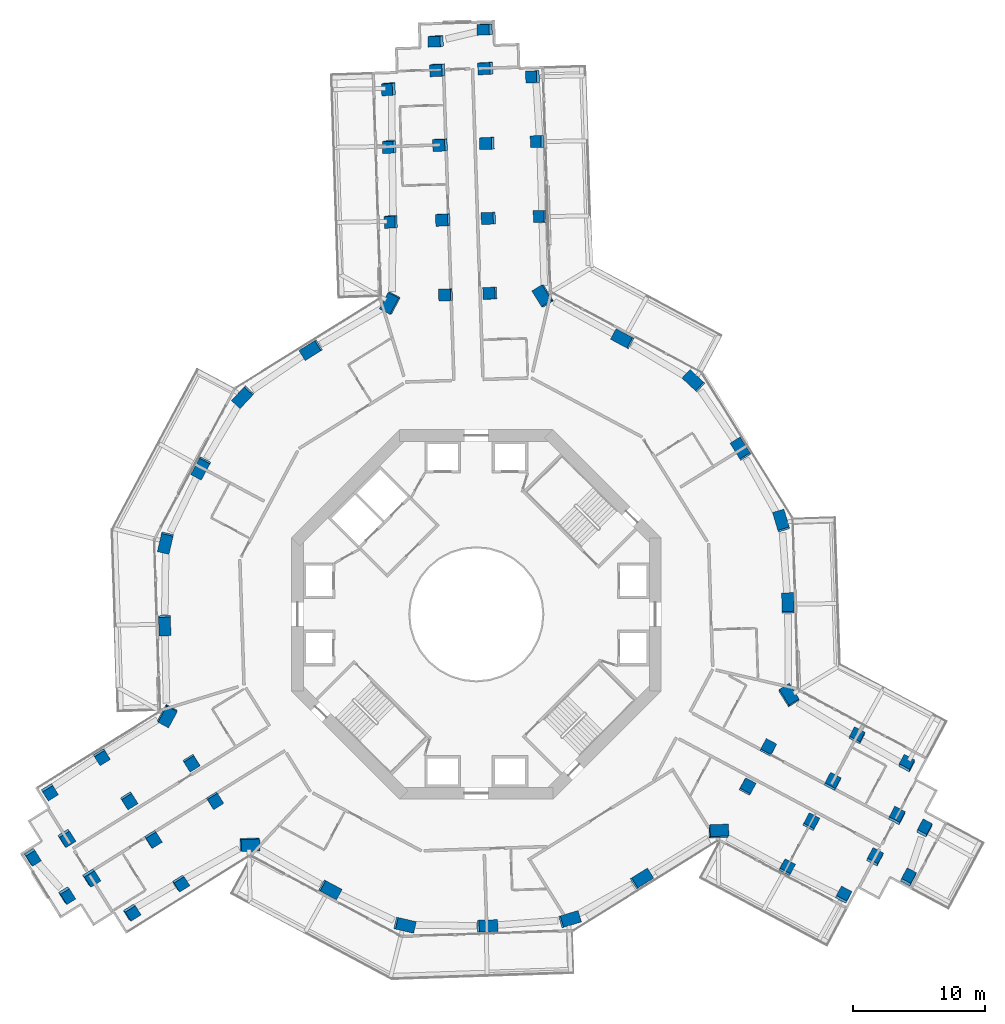
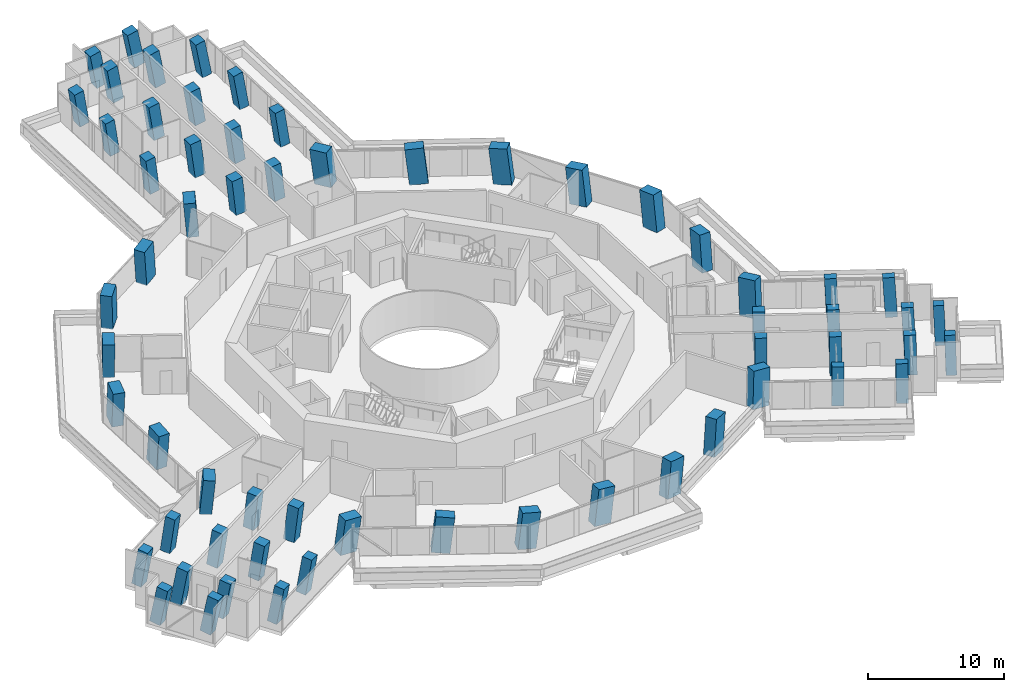
# One storey, part 1 of 27: 61 columns.
"""IFC4 building model written with IfcOpenShell, lengths in metres."""

import ifcopenshell
import ifcopenshell.guid

model = None  # the IFC model being written
_history = None  # IfcOwnerHistory: only IFC2X3 demands one
_inside = {}  # id of a spatial element -> (the spatial element, [elements in it])
_under = {}  # id of a project, library or spatial element -> (it, [spatial elements below it])
_declared = {}  # id of a project -> (the project, [libraries it declares])
_typed = {}  # id of a type object -> (the type object, [elements of that type])
_made_of = {}  # id of a material, layer set ... -> (it, [elements and type objects made of it])


def new_model(schema):
    """Start an empty IFC model of exactly this schema.

    Asked for "IFC4X3", IfcOpenShell would pick the latest addendum, in which some entities
    have other attributes; the version numbers below select the first issue.
    IFC2X3 requires an IfcOwnerHistory on every rooted entity: one is made here for all.
    """
    global model, _history
    if schema == "IFC4X3":
        model = ifcopenshell.file(schema_version=(4, 3, 0, 0))
    else:
        model = ifcopenshell.file(schema=schema)
    _inside.clear()
    _under.clear()
    _declared.clear()
    _typed.clear()
    _made_of.clear()
    _history = None
    if model.schema == "IFC2X3":
        org = make("IfcOrganization", Name="unknown")
        user = make(
            "IfcPersonAndOrganization",
            ThePerson=make("IfcPerson", FamilyName="unknown"),
            TheOrganization=org,
        )
        app = make(
            "IfcApplication",
            ApplicationDeveloper=org,
            Version="unknown",
            ApplicationFullName="unknown",
            ApplicationIdentifier="unknown",
        )
        _history = make(
            "IfcOwnerHistory",
            OwningUser=user,
            OwningApplication=app,
            ChangeAction="ADDED",
            CreationDate=0,
        )
    return model


def make(cls, **values):
    """One entity of the class cls with the attributes given. An attribute that is None is left unset."""
    return model.create_entity(
        cls, **{name: value for name, value in values.items() if value is not None}
    )


def rooted(cls, **values):
    """An entity with a GlobalId (a new one), such as an element, a storey or a relation."""
    return make(cls, GlobalId=ifcopenshell.guid.new(), OwnerHistory=_history, **values)


def si_unit(unit_type, name, prefix=None):
    """IfcSIUnit, for example si_unit("LENGTHUNIT", "METRE", prefix="MILLI")."""
    return make("IfcSIUnit", UnitType=unit_type, Prefix=prefix, Name=name)


def assignment(units):
    """IfcUnitAssignment: the units of a project."""
    return None if units is None else make("IfcUnitAssignment", Units=units)


def point(xyz):
    """IfcCartesianPoint."""
    return None if xyz is None else make("IfcCartesianPoint", Coordinates=xyz)


def direction(xyz):
    """IfcDirection."""
    return None if xyz is None else make("IfcDirection", DirectionRatios=xyz)


def frame(location, z_axis=None, x_axis=None):
    """IfcAxis2Placement3D, a coordinate frame: its origin and axes. An axis left out is left unset."""
    return make(
        "IfcAxis2Placement3D",
        Location=point(location),
        Axis=direction(z_axis),
        RefDirection=direction(x_axis),
    )


def frame_2d(location, x_axis=None):
    """IfcAxis2Placement2D, a coordinate frame in the plane: its origin and x axis."""
    return make(
        "IfcAxis2Placement2D", Location=point(location), RefDirection=direction(x_axis)
    )


def origin():
    """The frame at (0, 0, 0) with its axes left unset."""
    return frame((0.0, 0.0, 0.0))


def origin_2d():
    """The frame at (0, 0) in the plane with its x axis left unset."""
    return frame_2d((0.0, 0.0))


def place(relative_to, where):
    """IfcLocalPlacement: puts the frame where relative to a parent placement (None: the world)."""
    return make(
        "IfcLocalPlacement", PlacementRelTo=relative_to, RelativePlacement=where
    )


def context(
    kind, dimensions, precision=None, world=None, true_north=None, identifier=None
):
    """IfcGeometricRepresentationContext, for example the 3D "Model" context."""
    return make(
        "IfcGeometricRepresentationContext",
        ContextIdentifier=identifier,
        ContextType=kind,
        CoordinateSpaceDimension=dimensions,
        Precision=precision,
        WorldCoordinateSystem=world,
        TrueNorth=true_north,
    )


def subcontext(parent, identifier, kind, view, scale=None):
    """IfcGeometricRepresentationSubContext, for example "Body" below "Model"."""
    return make(
        "IfcGeometricRepresentationSubContext",
        ContextIdentifier=identifier,
        ContextType=kind,
        ParentContext=parent,
        TargetScale=scale,
        TargetView=view,
    )


def project(units=None, contexts=None):
    """IfcProject with its units and contexts."""
    return rooted(
        "IfcProject",
        Name="project",
        RepresentationContexts=contexts,
        UnitsInContext=assignment(units),
    )


def spatial(cls, under=None, at=None, **own):
    """A site, building, storey or space (cls), placed at a placement, below another one or the project."""
    s = rooted(cls, ObjectPlacement=at, **own)
    if under is not None:
        _under.setdefault(under.id(), (under, []))[1].append(s)
    return s


def profile(cls, at=None, kind="AREA", **sizes):
    """A parametric profile (cls). Its sizes go by their IFC names, for example OverallWidth=200.0."""
    return make(cls, ProfileType=kind, Position=at, **sizes)


def rectangle(**sizes):
    """IfcRectangleProfileDef."""
    return profile("IfcRectangleProfileDef", **sizes)


def extrude(swept, where, along, depth):
    """IfcExtrudedAreaSolid: the profile swept, set in the frame where, extruded along a direction by depth."""
    return make(
        "IfcExtrudedAreaSolid",
        SweptArea=swept,
        Position=where,
        ExtrudedDirection=direction(along),
        Depth=depth,
    )


def shape(context_of_items, identifier, shape_type, items):
    """IfcShapeRepresentation: the items that make up one representation, for example the "Body"."""
    return make(
        "IfcShapeRepresentation",
        ContextOfItems=context_of_items,
        RepresentationIdentifier=identifier,
        RepresentationType=shape_type,
        Items=items,
    )


def material(Name=None, Category=None):
    """IfcMaterial."""
    return make("IfcMaterial", Name=Name, Category=Category)


def material_profile(
    of_material, cross_section, Name=None, Category=None, Priority=None
):
    """IfcMaterialProfile: a cross section and its material."""
    return make(
        "IfcMaterialProfile",
        Name=Name,
        Material=of_material,
        Profile=cross_section,
        Priority=Priority,
        Category=Category,
    )


def profile_set(profiles, Name=None, composite=None):
    """IfcMaterialProfileSet."""
    return make(
        "IfcMaterialProfileSet",
        Name=Name,
        MaterialProfiles=profiles,
        CompositeProfile=composite,
    )


def made_of(thing, what):
    """Note that an element or type object is made of a material, layer set ...; save() writes the relation."""
    if what is not None:
        _made_of.setdefault(what.id(), (what, []))[1].append(thing)
    return thing


def type_object(cls, material=None, **own):
    """A type object (cls), such as IfcWallType, which elements share."""
    return made_of(rooted(cls, **own), material)


def element(
    cls,
    number,
    at=None,
    inside=None,
    cuts=None,
    type_object=None,
    material=None,
    context=None,
    identifier="Body",
    shape_type=None,
    held_by="IfcProductDefinitionShape",
    body=None,
    shapes=None,
    **own,
):
    """One element of the class cls, such as IfcWall. Its Tag is "e" and its number.

    at: its placement. inside: the storey or other place that contains it. cuts: it is an
    opening in that element (IfcRelVoidsElement). A single representation is given by context,
    identifier, shape_type and body (its items); several are given by shapes. held_by: the class
    of the entity that holds the representations. save() writes the other relations.
    """
    e = rooted(cls, Tag="e%d" % number, ObjectPlacement=at, **own)
    if body is not None:
        shapes = [shape(context, identifier, shape_type, body)]
    if shapes is not None:
        e.Representation = make(held_by, Representations=shapes)
    if inside is not None:
        _inside.setdefault(inside.id(), (inside, []))[1].append(e)
    if cuts is not None:
        rooted(
            "IfcRelVoidsElement", RelatingBuildingElement=cuts, RelatedOpeningElement=e
        )
    if type_object is not None:
        _typed.setdefault(type_object.id(), (type_object, []))[1].append(e)
    return made_of(e, material)


def aggregate(whole, parts):
    """IfcRelAggregates: a whole, such as a stair, and the parts it consists of."""
    return rooted("IfcRelAggregates", RelatingObject=whole, RelatedObjects=parts)


def save(model, path):
    """Write the relations noted so far, then the file.

    IfcRelAggregates (storeys below a building ...), IfcRelContainedInSpatialStructure (elements
    in a storey), IfcRelDefinesByType, IfcRelAssociatesMaterial and IfcRelDeclares: one each for
    every whole, place, type object, material and project.
    """
    for whole, parts in _under.values():
        aggregate(whole, parts)
    for where, things in _inside.values():
        rooted(
            "IfcRelContainedInSpatialStructure",
            RelatedElements=things,
            RelatingStructure=where,
        )
    for kind, things in _typed.values():
        rooted("IfcRelDefinesByType", RelatedObjects=things, RelatingType=kind)
    for what, things in _made_of.values():
        rooted("IfcRelAssociatesMaterial", RelatedObjects=things, RelatingMaterial=what)
    for by, libraries in _declared.values():
        rooted("IfcRelDeclares", RelatingContext=by, RelatedDefinitions=libraries)
    model.write(path)


model = new_model("IFC4")

# Units and contexts
model_context = context("Model", 3, precision=1e-05, world=origin(), true_north=direction((0.0, 1.0)))
body_context = subcontext(model_context, "Body", "Model", "MODEL_VIEW")
ifc_project = project(units=[si_unit("LENGTHUNIT", "METRE"), si_unit("AREAUNIT", "SQUARE_METRE"), si_unit("VOLUMEUNIT", "CUBIC_METRE"), si_unit("PLANEANGLEUNIT", "RADIAN"), si_unit("MASSUNIT", "GRAM", prefix="KILO")], contexts=[model_context])

# Site, building, storey
site_placement = place(None, origin())
site = spatial("IfcSite", under=ifc_project, at=site_placement, CompositionType="ELEMENT")
building_placement = place(site_placement, origin())
building = spatial("IfcBuilding", under=site, at=building_placement, Name="Verdalira Terraces Hotel", CompositionType="ELEMENT")
storey_placement = place(building_placement, frame((0.0, 0.0, 42.5)))
storey = spatial("IfcBuildingStorey", under=building, at=storey_placement, Name="L08", CompositionType="ELEMENT", Elevation=42.5)

# Columns
ifc_material_1 = material(Name="Concrete C80", Category="concrete")
ifc_material_profile_1 = material_profile(ifc_material_1, rectangle(XDim=1.399902, YDim=0.899902, at=origin_2d()), Name="RC 1400X900")
ifc_profile_set_1 = profile_set([ifc_material_profile_1], Name="Concrete C80")
column_type_1 = type_object("IfcColumnType", Name="Column RC 1400X900 C80", PredefinedType="COLUMN", material=ifc_profile_set_1)
column_1_placement = place(storey_placement, frame((-6.473633, 23.581299, 0.0), z_axis=(-0.111894353, -0.031698332, 0.993214413), x_axis=(0.46341034, 0.882491483, 0.080371879)))
element("IfcColumn", 1, at=column_1_placement, inside=storey, type_object=column_type_1, Name="Column C07", PredefinedType="COLUMN", context=body_context, shape_type="SweptSolid", body=[
    extrude(rectangle(XDim=1.399902, YDim=0.899902, at=origin_2d()), origin(), (0.0, 0.0, 1.0), 3.21167),
])
column_2_placement = place(storey_placement, frame((-12.482422, 20.03833, 0.0), z_axis=(-0.09483478, -0.060155823, 0.99367381), x_axis=(-0.843585782, -0.525120526, -0.112300766)))
element("IfcColumn", 2, at=column_2_placement, inside=storey, type_object=column_type_1, Name="Column C08", PredefinedType="COLUMN", context=body_context, shape_type="SweptSolid", body=[
    extrude(rectangle(XDim=1.399902, YDim=0.899902, at=origin_2d()), origin(), (0.0, 0.0, 1.0), 3.210205),
])
column_3_placement = place(storey_placement, frame((-17.640137, 16.49585, 0.0), z_axis=(-0.07770091, -0.084543456, 0.993385611), x_axis=(0.678392991, 0.725671316, 0.114821992)))
element("IfcColumn", 3, at=column_3_placement, inside=storey, type_object=column_type_1, Name="Column C09", PredefinedType="COLUMN", context=body_context, shape_type="SweptSolid", body=[
    extrude(rectangle(XDim=1.399902, YDim=0.899902, at=origin_2d()), origin(), (0.0, 0.0, 1.0), 3.211182),
])
column_4_placement = place(storey_placement, frame((-20.829346, 11.112549, 0.0), z_axis=(-0.052094183, -0.099549321, 0.993668017), x_axis=(-0.468171177, -0.876466072, -0.112352009)))
element("IfcColumn", 4, at=column_4_placement, inside=storey, type_object=column_type_1, Name="Column C10", PredefinedType="COLUMN", context=body_context, shape_type="SweptSolid", body=[
    extrude(rectangle(XDim=1.399902, YDim=0.899902, at=origin_2d()), origin(), (0.0, 0.0, 1.0), 3.210205),
])
column_5_placement = place(storey_placement, frame((-23.524658, 5.46582, 0.0), z_axis=(-0.025013102, -0.112140805, 0.993377463), x_axis=(0.22448272, 0.967681369, 0.114892456)))
element("IfcColumn", 5, at=column_5_placement, inside=storey, type_object=column_type_1, Name="Column C11", PredefinedType="COLUMN", context=body_context, shape_type="SweptSolid", body=[
    extrude(rectangle(XDim=1.399902, YDim=0.899902, at=origin_2d()), origin(), (0.0, 0.0, 1.0), 3.211182),
])
column_6_placement = place(storey_placement, frame((-23.595215, -0.791016, 0.0), z_axis=(0.004715138, -0.112174655, 0.993677319), x_axis=(0.033305651, -0.993119451, -0.112269718)))
element("IfcColumn", 6, at=column_6_placement, inside=storey, type_object=column_type_1, Name="Column C12", PredefinedType="COLUMN", context=body_context, shape_type="SweptSolid", body=[
    extrude(rectangle(XDim=1.399902, YDim=0.899902, at=origin_2d()), origin(), (0.0, 0.0, 1.0), 3.210205),
])
column_7_placement = place(storey_placement, frame((-23.415771, -7.635254, 0.0), z_axis=(0.037244102, -0.110972223, 0.993125391), x_axis=(0.475039449, 0.876310904, 0.080104438)))
element("IfcColumn", 7, at=column_7_placement, inside=storey, type_object=column_type_1, Name="Column C13", PredefinedType="COLUMN", context=body_context, shape_type="SweptSolid", body=[
    extrude(rectangle(XDim=1.399902, YDim=0.899902, at=origin_2d()), origin(), (0.0, 0.0, 1.0), 3.211914),
])
column_8_placement = place(storey_placement, frame((-17.185059, -17.396973, 0.0), z_axis=(0.083388877, -0.0810324, 0.993217018), x_axis=(-0.995963497, -0.039994314, 0.080356499)))
element("IfcColumn", 8, at=column_8_placement, inside=storey, type_object=column_type_1, Name="Column C20", PredefinedType="COLUMN", context=body_context, shape_type="SweptSolid", body=[
    extrude(rectangle(XDim=1.399902, YDim=0.899902, at=origin_2d()), origin(), (0.0, 0.0, 1.0), 3.21167),
])
column_9_placement = place(storey_placement, frame((-11.112549, -20.829346, 0.0), z_axis=(0.099549321, -0.052094183, 0.993668017), x_axis=(0.876466072, -0.468171177, -0.112352009)))
element("IfcColumn", 9, at=column_9_placement, inside=storey, type_object=column_type_1, Name="Column C21", PredefinedType="COLUMN", context=body_context, shape_type="SweptSolid", body=[
    extrude(rectangle(XDim=1.399902, YDim=0.899902, at=origin_2d()), origin(), (0.0, 0.0, 1.0), 3.210205),
])
column_10_placement = place(storey_placement, frame((-5.46582, -23.524658, 0.0), z_axis=(0.112140805, -0.025013102, 0.993377463), x_axis=(-0.967681369, 0.22448272, 0.114892456)))
element("IfcColumn", 10, at=column_10_placement, inside=storey, type_object=column_type_1, Name="Column C22", PredefinedType="COLUMN", context=body_context, shape_type="SweptSolid", body=[
    extrude(rectangle(XDim=1.399902, YDim=0.899902, at=origin_2d()), origin(), (0.0, 0.0, 1.0), 3.211182),
])
column_11_placement = place(storey_placement, frame((0.791016, -23.595215, 0.0), z_axis=(0.112174655, 0.004715138, 0.993677319), x_axis=(0.993119451, 0.033305651, -0.112269718)))
element("IfcColumn", 11, at=column_11_placement, inside=storey, type_object=column_type_1, Name="Column C23", PredefinedType="COLUMN", context=body_context, shape_type="SweptSolid", body=[
    extrude(rectangle(XDim=1.399902, YDim=0.899902, at=origin_2d()), origin(), (0.0, 0.0, 1.0), 3.210205),
])
column_12_placement = place(storey_placement, frame((7.028809, -23.105713, 0.0), z_axis=(0.109632241, 0.034288586, 0.993380624), x_axis=(-0.950575339, -0.288465817, 0.114865125)))
element("IfcColumn", 12, at=column_12_placement, inside=storey, type_object=column_type_1, Name="Column C24", PredefinedType="COLUMN", context=body_context, shape_type="SweptSolid", body=[
    extrude(rectangle(XDim=1.399902, YDim=0.899902, at=origin_2d()), origin(), (0.0, 0.0, 1.0), 3.211182),
])
column_13_placement = place(storey_placement, frame((12.482422, -20.03833, 0.0), z_axis=(0.09483478, 0.060155823, 0.99367381), x_axis=(0.843585782, 0.525120526, -0.112300766)))
element("IfcColumn", 13, at=column_13_placement, inside=storey, type_object=column_type_1, Name="Column C25", PredefinedType="COLUMN", context=body_context, shape_type="SweptSolid", body=[
    extrude(rectangle(XDim=1.399902, YDim=0.899902, at=origin_2d()), origin(), (0.0, 0.0, 1.0), 3.210205),
])
column_14_placement = place(storey_placement, frame((18.320068, -16.460938, 0.0), z_axis=(0.077528446, 0.087713556, 0.993124198), x_axis=(-0.996438495, -0.026315299, 0.080111367)))
element("IfcColumn", 14, at=column_14_placement, inside=storey, type_object=column_type_1, Name="Column C26", PredefinedType="COLUMN", context=body_context, shape_type="SweptSolid", body=[
    extrude(rectangle(XDim=1.399902, YDim=0.899902, at=origin_2d()), origin(), (0.0, 0.0, 1.0), 3.211914),
])
column_15_placement = place(storey_placement, frame((23.658691, -6.184082, 0.0), z_axis=(0.028506001, 0.112655717, 0.993225099), x_axis=(0.532308055, -0.842732837, 0.080308782)))
element("IfcColumn", 15, at=column_15_placement, inside=storey, type_object=column_type_1, Name="Column C33", PredefinedType="COLUMN", context=body_context, shape_type="SweptSolid", body=[
    extrude(rectangle(XDim=1.399902, YDim=0.899902, at=origin_2d()), origin(), (0.0, 0.0, 1.0), 3.21167),
])
column_16_placement = place(storey_placement, frame((23.595215, 0.791016, 0.0), z_axis=(-0.004715138, 0.112174655, 0.993677319), x_axis=(-0.033305651, 0.993119451, -0.112269718)))
element("IfcColumn", 16, at=column_16_placement, inside=storey, type_object=column_type_1, Name="Column C34", PredefinedType="COLUMN", context=body_context, shape_type="SweptSolid", body=[
    extrude(rectangle(XDim=1.399902, YDim=0.899902, at=origin_2d()), origin(), (0.0, 0.0, 1.0), 3.210205),
])
column_17_placement = place(storey_placement, frame((23.105713, 7.028809, 0.0), z_axis=(-0.034288586, 0.109632241, 0.993380624), x_axis=(0.288465817, -0.950575339, 0.114865125)))
element("IfcColumn", 17, at=column_17_placement, inside=storey, type_object=column_type_1, Name="Column C35", PredefinedType="COLUMN", context=body_context, shape_type="SweptSolid", body=[
    extrude(rectangle(XDim=1.399902, YDim=0.899902, at=origin_2d()), origin(), (0.0, 0.0, 1.0), 3.211182),
])
column_18_placement = place(storey_placement, frame((20.03833, 12.482422, 0.0), z_axis=(-0.060155823, 0.09483478, 0.99367381), x_axis=(-0.525120526, 0.843585782, -0.112300766)))
element("IfcColumn", 18, at=column_18_placement, inside=storey, type_object=column_type_1, Name="Column C36", PredefinedType="COLUMN", context=body_context, shape_type="SweptSolid", body=[
    extrude(rectangle(XDim=1.399902, YDim=0.899902, at=origin_2d()), origin(), (0.0, 0.0, 1.0), 3.210205),
])
column_19_placement = place(storey_placement, frame((16.49585, 17.640137, 0.0), z_axis=(-0.084543456, 0.07770091, 0.993385611), x_axis=(0.725671316, -0.678392991, 0.114821992)))
element("IfcColumn", 19, at=column_19_placement, inside=storey, type_object=column_type_1, Name="Column C37", PredefinedType="COLUMN", context=body_context, shape_type="SweptSolid", body=[
    extrude(rectangle(XDim=1.399902, YDim=0.899902, at=origin_2d()), origin(), (0.0, 0.0, 1.0), 3.211182),
])
column_20_placement = place(storey_placement, frame((11.112549, 20.829346, 0.0), z_axis=(-0.099549321, 0.052094183, 0.993668017), x_axis=(-0.876466072, 0.468171177, -0.112352009)))
element("IfcColumn", 20, at=column_20_placement, inside=storey, type_object=column_type_1, Name="Column C38", PredefinedType="COLUMN", context=body_context, shape_type="SweptSolid", body=[
    extrude(rectangle(XDim=1.399902, YDim=0.899902, at=origin_2d()), origin(), (0.0, 0.0, 1.0), 3.210205),
])
column_21_placement = place(storey_placement, frame((5.095459, 24.096191, 0.0), z_axis=(-0.114771967, 0.023258425, 0.99311955), x_axis=(0.521259361, -0.849627286, 0.080138343)))
element("IfcColumn", 21, at=column_21_placement, inside=storey, type_object=column_type_1, Name="Column C39", PredefinedType="COLUMN", context=body_context, shape_type="SweptSolid", body=[
    extrude(rectangle(XDim=1.399902, YDim=0.899902, at=origin_2d()), origin(), (0.0, 0.0, 1.0), 3.212158),
])
ifc_material_2 = material(Name="Concrete C80", Category="concrete")
ifc_material_profile_2 = material_profile(ifc_material_2, rectangle(XDim=0.899902, YDim=0.800049, at=origin_2d()), Name="RC 900X800")
ifc_profile_set_2 = profile_set([ifc_material_profile_2], Name="Concrete C80")
column_type_2 = type_object("IfcColumnType", Name="Column RC 900X800 C80", PredefinedType="COLUMN", material=ifc_profile_set_2)
column_22_placement = place(storey_placement, frame((4.893555, 30.120117, 0.0), z_axis=(-0.142336215, 0.010453644, 0.989763165), x_axis=(-0.031226717, 0.999399073, -0.015046079)))
element("IfcColumn", 22, at=column_22_placement, inside=storey, type_object=column_type_2, Name="Column C01", PredefinedType="COLUMN", context=body_context, shape_type="SweptSolid", body=[
    extrude(rectangle(XDim=0.899902, YDim=0.800049, at=origin_2d()), origin(), (0.0, 0.0, 1.0), 3.2229),
])
column_23_placement = place(storey_placement, frame((4.703369, 35.798096, 0.0), z_axis=(-0.167945562, -0.002263417, 0.985793673), x_axis=(-0.033091095, 0.999446749, -0.003342827)))
element("IfcColumn", 23, at=column_23_placement, inside=storey, type_object=column_type_2, Name="Column C02", PredefinedType="COLUMN", context=body_context, shape_type="SweptSolid", body=[
    extrude(rectangle(XDim=0.899902, YDim=0.800049, at=origin_2d()), origin(), (0.0, 0.0, 1.0), 3.23584),
])
column_24_placement = place(storey_placement, frame((4.378418, 40.710693, 0.0), z_axis=(-0.189716676, -0.01540274, 0.981718054), x_axis=(-0.035211098, 0.999340492, 0.008874696)))
element("IfcColumn", 24, at=column_24_placement, inside=storey, type_object=column_type_2, Name="Column C03", PredefinedType="COLUMN", context=body_context, shape_type="SweptSolid", body=[
    extrude(rectangle(XDim=0.899902, YDim=0.800049, at=origin_2d()), origin(), (0.0, 0.0, 1.0), 3.249268),
])
column_25_placement = place(storey_placement, frame((-6.537354, 39.804688, 0.0), z_axis=(-0.184830301, -0.066637965, 0.980508614), x_axis=(0.04500335, -0.997225803, -0.059290775)))
element("IfcColumn", 25, at=column_25_placement, inside=storey, type_object=column_type_2, Name="Column C04", PredefinedType="COLUMN", context=body_context, shape_type="SweptSolid", body=[
    extrude(rectangle(XDim=0.899902, YDim=0.800049, at=origin_2d()), origin(), (0.0, 0.0, 1.0), 3.253418),
])
column_26_placement = place(storey_placement, frame((-6.490479, 35.422607, 0.0), z_axis=(-0.165568137, -0.054938176, 0.984666943), x_axis=(0.041470474, -0.997951852, -0.048706281)))
element("IfcColumn", 26, at=column_26_placement, inside=storey, type_object=column_type_2, Name="Column C05", PredefinedType="COLUMN", context=body_context, shape_type="SweptSolid", body=[
    extrude(rectangle(XDim=0.899902, YDim=0.800049, at=origin_2d()), origin(), (0.0, 0.0, 1.0), 3.239502),
])
column_27_placement = place(storey_placement, frame((-6.390137, 29.741943, 0.0), z_axis=(-0.139986695, -0.043002944, 0.989219122), x_axis=(0.039027103, -0.998519732, -0.03788444)))
element("IfcColumn", 27, at=column_27_placement, inside=storey, type_object=column_type_2, Name="Column C06", PredefinedType="COLUMN", context=body_context, shape_type="SweptSolid", body=[
    extrude(rectangle(XDim=0.899902, YDim=0.800049, at=origin_2d()), origin(), (0.0, 0.0, 1.0), 3.224609),
])
column_28_placement = place(storey_placement, frame((-28.39624, -10.737793, 0.0), z_axis=(0.066598112, -0.124710457, 0.989955551), x_axis=(-0.849410277, -0.527650611, -0.009328124)))
element("IfcColumn", 28, at=column_28_placement, inside=storey, type_object=column_type_2, Name="Column C14", PredefinedType="COLUMN", context=body_context, shape_type="SweptSolid", body=[
    extrude(rectangle(XDim=0.899902, YDim=0.800049, at=origin_2d()), origin(), (0.0, 0.0, 1.0), 3.222412),
])
column_29_placement = place(storey_placement, frame((-32.353027, -13.391113, 0.0), z_axis=(0.093557727, -0.133502875, 0.986622488), x_axis=(-0.848078162, -0.529799203, 0.008731353)))
element("IfcColumn", 29, at=column_29_placement, inside=storey, type_object=column_type_2, Name="Column C15", PredefinedType="COLUMN", context=body_context, shape_type="SweptSolid", body=[
    extrude(rectangle(XDim=0.899902, YDim=0.800049, at=origin_2d()), origin(), (0.0, 0.0, 1.0), 3.233154),
])
column_30_placement = place(storey_placement, frame((-33.656738, -18.314941, 0.0), z_axis=(0.116510233, -0.139014471, 0.9834126), x_axis=(0.516164788, -0.837460951, -0.179535701)))
element("IfcColumn", 30, at=column_30_placement, inside=storey, type_object=column_type_2, Name="Column C16", PredefinedType="COLUMN", context=body_context, shape_type="SweptSolid", body=[
    extrude(rectangle(XDim=0.899902, YDim=0.800049, at=origin_2d()), origin(), (0.0, 0.0, 1.0), 3.243652),
])
column_31_placement = place(storey_placement, frame((-31.066406, -21.225342, 0.0), z_axis=(0.13012796, -0.126665909, 0.983373002), x_axis=(0.513990275, -0.839514583, -0.17615125)))
element("IfcColumn", 31, at=column_31_placement, inside=storey, type_object=column_type_2, Name="Column C17", PredefinedType="COLUMN", context=body_context, shape_type="SweptSolid", body=[
    extrude(rectangle(XDim=0.899902, YDim=0.800049, at=origin_2d()), origin(), (0.0, 0.0, 1.0), 3.243896),
])
column_32_placement = place(storey_placement, frame((-26.142334, -22.529053, 0.0), z_axis=(0.136255668, -0.103680987, 0.985233295), x_axis=(0.842216346, 0.535780129, -0.060093928)))
element("IfcColumn", 32, at=column_32_placement, inside=storey, type_object=column_type_2, Name="Column C18", PredefinedType="COLUMN", context=body_context, shape_type="SweptSolid", body=[
    extrude(rectangle(XDim=0.899902, YDim=0.800049, at=origin_2d()), origin(), (0.0, 0.0, 1.0), 3.237793),
])
column_33_placement = place(storey_placement, frame((-22.421387, -20.329102, 0.0), z_axis=(0.11165874, -0.095912965, 0.989107188), x_axis=(0.844725534, 0.53341803, -0.043634587)))
element("IfcColumn", 33, at=column_33_placement, inside=storey, type_object=column_type_2, Name="Column C19", PredefinedType="COLUMN", context=body_context, shape_type="SweptSolid", body=[
    extrude(rectangle(XDim=0.899902, YDim=0.800049, at=origin_2d()), origin(), (0.0, 0.0, 1.0), 3.225098),
])
column_34_placement = place(storey_placement, frame((23.497314, -19.2229, 0.0), z_axis=(0.0747052, 0.120013223, 0.989957554), x_axis=(0.881627701, -0.471853367, -0.009327199)))
element("IfcColumn", 34, at=column_34_placement, inside=storey, type_object=column_type_2, Name="Column C27", PredefinedType="COLUMN", context=body_context, shape_type="SweptSolid", body=[
    extrude(rectangle(XDim=0.899902, YDim=0.800049, at=origin_2d()), origin(), (0.0, 0.0, 1.0), 3.222412),
])
column_35_placement = place(storey_placement, frame((27.773682, -21.322998, 0.0), z_axis=(0.068790456, 0.147774887, 0.986625793), x_axis=(0.882982838, -0.469324077, 0.008730281)))
element("IfcColumn", 35, at=column_35_placement, inside=storey, type_object=column_type_2, Name="Column C28", PredefinedType="COLUMN", context=body_context, shape_type="SweptSolid", body=[
    extrude(rectangle(XDim=0.899902, YDim=0.800049, at=origin_2d()), origin(), (0.0, 0.0, 1.0), 3.233154),
])
column_36_placement = place(storey_placement, frame((32.689697, -19.990234, 0.0), z_axis=(0.062093877, 0.170400651, 0.983416478), x_axis=(0.467009292, 0.86583874, -0.179514892)))
element("IfcColumn", 36, at=column_36_placement, inside=storey, type_object=column_type_2, Name="Column C29", PredefinedType="COLUMN", context=body_context, shape_type="SweptSolid", body=[
    extrude(rectangle(XDim=0.899902, YDim=0.800049, at=origin_2d()), origin(), (0.0, 0.0, 1.0), 3.243652),
])
column_37_placement = place(storey_placement, frame((33.914795, -16.291504, 0.0), z_axis=(0.044705384, 0.176036855, 0.983367914), x_axis=(0.470372243, 0.864702998, -0.176177975)))
element("IfcColumn", 37, at=column_37_placement, inside=storey, type_object=column_type_2, Name="Column C30", PredefinedType="COLUMN", context=body_context, shape_type="SweptSolid", body=[
    extrude(rectangle(XDim=0.899902, YDim=0.800049, at=origin_2d()), origin(), (0.0, 0.0, 1.0), 3.243896),
])
column_38_placement = place(storey_placement, frame((32.582031, -11.375488, 0.0), z_axis=(0.021565527, 0.169885078, 0.985227887), x_axis=(-0.885381684, 0.460962775, -0.06010485)))
element("IfcColumn", 38, at=column_38_placement, inside=storey, type_object=column_type_2, Name="Column C31", PredefinedType="COLUMN", context=body_context, shape_type="SweptSolid", body=[
    extrude(rectangle(XDim=0.899902, YDim=0.800049, at=origin_2d()), origin(), (0.0, 0.0, 1.0), 3.237793),
])
column_39_placement = place(storey_placement, frame((28.816162, -9.253174, 0.0), z_axis=(0.027251957, 0.144738171, 0.989094633), x_axis=(-0.884308483, 0.464857341, -0.043659588)))
element("IfcColumn", 39, at=column_39_placement, inside=storey, type_object=column_type_2, Name="Column C32", PredefinedType="COLUMN", context=body_context, shape_type="SweptSolid", body=[
    extrude(rectangle(XDim=0.899902, YDim=0.800049, at=origin_2d()), origin(), (0.0, 0.0, 1.0), 3.225098),
])
column_40_placement = place(storey_placement, frame((0.766113, 44.301758, 0.0), z_axis=(-0.205706055, -0.032412926, 0.978076899), x_axis=(-0.978038669, -0.027451755, -0.206607751)))
element("IfcColumn", 40, at=column_40_placement, inside=storey, type_object=column_type_2, Name="Column C40", PredefinedType="COLUMN", context=body_context, shape_type="SweptSolid", body=[
    extrude(rectangle(XDim=0.899902, YDim=0.800049, at=origin_2d()), origin(), (0.0, 0.0, 1.0), 3.261475),
])
column_41_placement = place(storey_placement, frame((-2.946289, 43.416992, 0.0), z_axis=(-0.201470437, -0.04978738, 0.978228439), x_axis=(-0.978918063, -0.024026378, -0.202835301)))
element("IfcColumn", 41, at=column_41_placement, inside=storey, type_object=column_type_2, Name="Column C41", PredefinedType="COLUMN", context=body_context, shape_type="SweptSolid", body=[
    extrude(rectangle(XDim=0.899902, YDim=0.800049, at=origin_2d()), origin(), (0.0, 0.0, 1.0), 3.260986),
])
ifc_material_3 = material(Name="Concrete C80", Category="concrete")
ifc_material_profile_3 = material_profile(ifc_material_3, rectangle(XDim=0.899902, YDim=0.899902, at=origin_2d()), Name="RC 900X900")
ifc_profile_set_3 = profile_set([ifc_material_profile_3], Name="Concrete C80")
column_type_3 = type_object("IfcColumnType", Name="Column RC 900X900 C80", PredefinedType="COLUMN", material=ifc_profile_set_3)
for number, where, z_axis, x_axis, name in (
    (42, (1.092529, 24.308594, 0.0), (-0.115627147, 0.004257147, 0.993283565), (-0.032307268, 0.99944561, -0.008044414), "Column C42"),
    (43, (-2.261963, 24.196045, 0.0), (-0.114945194, -0.011707381, 0.993302844), (-0.034321042, 0.999380364, 0.007807375), "Column C43"),
):
    element("IfcColumn", number, at=place(storey_placement, frame(where, z_axis=z_axis, x_axis=x_axis)), inside=storey, type_object=column_type_3, Name=name, PredefinedType="COLUMN", context=body_context, shape_type="SweptSolid", body=[
        extrude(rectangle(XDim=0.899902, YDim=0.899902, at=origin_2d()), origin(), (0.0, 0.0, 1.0), 3.211426),
    ])
column_42_placement = place(storey_placement, frame((0.997803, 29.989502, 0.0), z_axis=(-0.141597105, -0.008030654, 0.989891796), x_axis=(-0.034042234, 0.999415148, 0.00323841)))
element("IfcColumn", 44, at=column_42_placement, inside=storey, type_object=column_type_3, Name="Column C44", PredefinedType="COLUMN", context=body_context, shape_type="SweptSolid", body=[
    extrude(rectangle(XDim=0.899902, YDim=0.899902, at=origin_2d()), origin(), (0.0, 0.0, 1.0), 3.222412),
])
column_43_placement = place(storey_placement, frame((-2.452393, 29.873779, 0.0), z_axis=(-0.140817462, -0.024315441, 0.989736936), x_axis=(-0.036027254, 0.999162077, 0.019421121)))
element("IfcColumn", 45, at=column_43_placement, inside=storey, type_object=column_type_3, Name="Column C45", PredefinedType="COLUMN", context=body_context, shape_type="SweptSolid", body=[
    extrude(rectangle(XDim=0.899902, YDim=0.899902, at=origin_2d()), origin(), (0.0, 0.0, 1.0), 3.2229),
])
column_44_placement = place(storey_placement, frame((0.903076, 35.670654, 0.0), z_axis=(-0.167251811, -0.020218081, 0.985706884), x_axis=(-0.036219852, 0.999240812, 0.014350002)))
element("IfcColumn", 46, at=column_44_placement, inside=storey, type_object=column_type_3, Name="Column C46", PredefinedType="COLUMN", context=body_context, shape_type="SweptSolid", body=[
    extrude(rectangle(XDim=0.899902, YDim=0.899902, at=origin_2d()), origin(), (0.0, 0.0, 1.0), 3.236084),
])
column_45_placement = place(storey_placement, frame((-2.642578, 35.551758, 0.0), z_axis=(-0.166439132, -0.036877542, 0.985361894), x_axis=(-0.038727817, 0.998773838, 0.030837909)))
element("IfcColumn", 47, at=column_45_placement, inside=storey, type_object=column_type_3, Name="Column C47", PredefinedType="COLUMN", context=body_context, shape_type="SweptSolid", body=[
    extrude(rectangle(XDim=0.899902, YDim=0.899902, at=origin_2d()), origin(), (0.0, 0.0, 1.0), 3.237305),
])
column_46_placement = place(storey_placement, frame((0.808105, 41.351562, 0.0), z_axis=(-0.192389787, -0.032202582, 0.980790071), x_axis=(-0.03862246, 0.998935505, 0.025222254)))
element("IfcColumn", 48, at=column_46_placement, inside=storey, type_object=column_type_3, Name="Column C48", PredefinedType="COLUMN", context=body_context, shape_type="SweptSolid", body=[
    extrude(rectangle(XDim=0.899902, YDim=0.899902, at=origin_2d()), origin(), (0.0, 0.0, 1.0), 3.252441),
])
column_47_placement = place(storey_placement, frame((-2.833008, 41.229492, 0.0), z_axis=(-0.191605437, -0.049289261, 0.980233608), x_axis=(-0.041987982, 0.99823549, 0.041987097)))
element("IfcColumn", 49, at=column_47_placement, inside=storey, type_object=column_type_3, Name="Column C49", PredefinedType="COLUMN", context=body_context, shape_type="SweptSolid", body=[
    extrude(rectangle(XDim=0.899902, YDim=0.899902, at=origin_2d()), origin(), (0.0, 0.0, 1.0), 3.25415),
])
for number, where, z_axis, x_axis, name in (
    (50, (-21.598145, -11.208008, 0.0), (0.054126675, -0.102247722, 0.99328531), (-0.849355947, -0.527759207, -0.008043372), "Column C50"),
    (51, (-19.823486, -14.056885, 0.0), (0.067659044, -0.093734384, 0.993295585), (-0.848265563, -0.529513469, 0.007811591), "Column C51"),
):
    element("IfcColumn", number, at=place(storey_placement, frame(where, z_axis=z_axis, x_axis=x_axis)), inside=storey, type_object=column_type_3, Name=name, PredefinedType="COLUMN", context=body_context, shape_type="SweptSolid", body=[
        extrude(rectangle(XDim=0.899902, YDim=0.899902, at=origin_2d()), origin(), (0.0, 0.0, 1.0), 3.211426),
    ])
column_48_placement = place(storey_placement, frame((-26.333984, -14.04834, 0.0), z_axis=(0.082207389, -0.114863042, 0.989973953), x_axis=(-0.848151789, -0.52967727, 0.008973974)))
element("IfcColumn", 52, at=column_48_placement, inside=storey, type_object=column_type_3, Name="Column C52", PredefinedType="COLUMN", context=body_context, shape_type="SweptSolid", body=[
    extrude(rectangle(XDim=0.899902, YDim=0.899902, at=origin_2d()), origin(), (0.0, 0.0, 1.0), 3.222168),
])
column_49_placement = place(storey_placement, frame((-24.51001, -16.976318, 0.0), z_axis=(0.095972279, -0.106046717, 0.989718857), x_axis=(-0.846678644, -0.531509813, 0.025151393)))
element("IfcColumn", 53, at=column_49_placement, inside=storey, type_object=column_type_3, Name="Column C53", PredefinedType="COLUMN", context=body_context, shape_type="SweptSolid", body=[
    extrude(rectangle(XDim=0.899902, YDim=0.899902, at=origin_2d()), origin(), (0.0, 0.0, 1.0), 3.223145),
])
column_50_placement = place(storey_placement, frame((-31.06958, -16.888672, 0.0), z_axis=(0.10992367, -0.127200623, 0.985767106), x_axis=(-0.846322929, -0.53204885, 0.025720048)))
element("IfcColumn", 54, at=column_50_placement, inside=storey, type_object=column_type_3, Name="Column C54", PredefinedType="COLUMN", context=body_context, shape_type="SweptSolid", body=[
    extrude(rectangle(XDim=0.899902, YDim=0.899902, at=origin_2d()), origin(), (0.0, 0.0, 1.0), 3.236084),
])
column_51_placement = place(storey_placement, frame((-29.196533, -19.895752, 0.0), z_axis=(0.12396393, -0.118157834, 0.98522671), x_axis=(-0.844338957, -0.534146818, 0.042177038)))
element("IfcColumn", 55, at=column_51_placement, inside=storey, type_object=column_type_3, Name="Column C55", PredefinedType="COLUMN", context=body_context, shape_type="SweptSolid", body=[
    extrude(rectangle(XDim=0.899902, YDim=0.899902, at=origin_2d()), origin(), (0.0, 0.0, 1.0), 3.237793),
])
for number, where, z_axis, x_axis, name in (
    (56, (20.505615, -13.100586, 0.0), (0.061424477, 0.098066307, 0.993282454), (0.882088142, -0.471015697, -0.008045077), "Column C56"),
    (57, (22.085449, -10.13916, 0.0), (0.047285547, 0.105442208, 0.993300568), (0.882899657, -0.469496772, 0.007808697), "Column C57"),
):
    element("IfcColumn", number, at=place(storey_placement, frame(where, z_axis=z_axis, x_axis=x_axis)), inside=storey, type_object=column_type_3, Name=name, PredefinedType="COLUMN", context=body_context, shape_type="SweptSolid", body=[
        extrude(rectangle(XDim=0.899902, YDim=0.899902, at=origin_2d()), origin(), (0.0, 0.0, 1.0), 3.211426),
    ])
column_52_placement = place(storey_placement, frame((25.333252, -15.781738, 0.0), z_axis=(0.058340623, 0.128652439, 0.989972182), x_axis=(0.882918112, -0.469441222, 0.008974763)))
element("IfcColumn", 58, at=column_52_placement, inside=storey, type_object=column_type_3, Name="Column C58", PredefinedType="COLUMN", context=body_context, shape_type="SweptSolid", body=[
    extrude(rectangle(XDim=0.899902, YDim=0.899902, at=origin_2d()), origin(), (0.0, 0.0, 1.0), 3.222168),
])
column_53_placement = place(storey_placement, frame((26.957031, -12.738037, 0.0), z_axis=(0.043857998, 0.136118863, 0.989721239), x_axis=(0.883605707, -0.467555887, 0.025148494)))
element("IfcColumn", 59, at=column_53_placement, inside=storey, type_object=column_type_3, Name="Column C59", PredefinedType="COLUMN", context=body_context, shape_type="SweptSolid", body=[
    extrude(rectangle(XDim=0.899902, YDim=0.899902, at=origin_2d()), origin(), (0.0, 0.0, 1.0), 3.223145),
])
column_54_placement = place(storey_placement, frame((30.160889, -18.462891, 0.0), z_axis=(0.055225673, 0.158811531, 0.985763168), x_axis=(0.88386787, -0.467028785, 0.025723581)))
element("IfcColumn", 60, at=column_54_placement, inside=storey, type_object=column_type_3, Name="Column C60", PredefinedType="COLUMN", context=body_context, shape_type="SweptSolid", body=[
    extrude(rectangle(XDim=0.899902, YDim=0.899902, at=origin_2d()), origin(), (0.0, 0.0, 1.0), 3.236084),
])
column_55_placement = place(storey_placement, frame((31.828613, -15.337158, 0.0), z_axis=(0.040265405, 0.166490663, 0.985220562), x_axis=(0.885001571, -0.463672926, 0.042185748)))
element("IfcColumn", 61, at=column_55_placement, inside=storey, type_object=column_type_3, Name="Column C61", PredefinedType="COLUMN", context=body_context, shape_type="SweptSolid", body=[
    extrude(rectangle(XDim=0.899902, YDim=0.899902, at=origin_2d()), origin(), (0.0, 0.0, 1.0), 3.237793),
])

save(model, "model.ifc")
